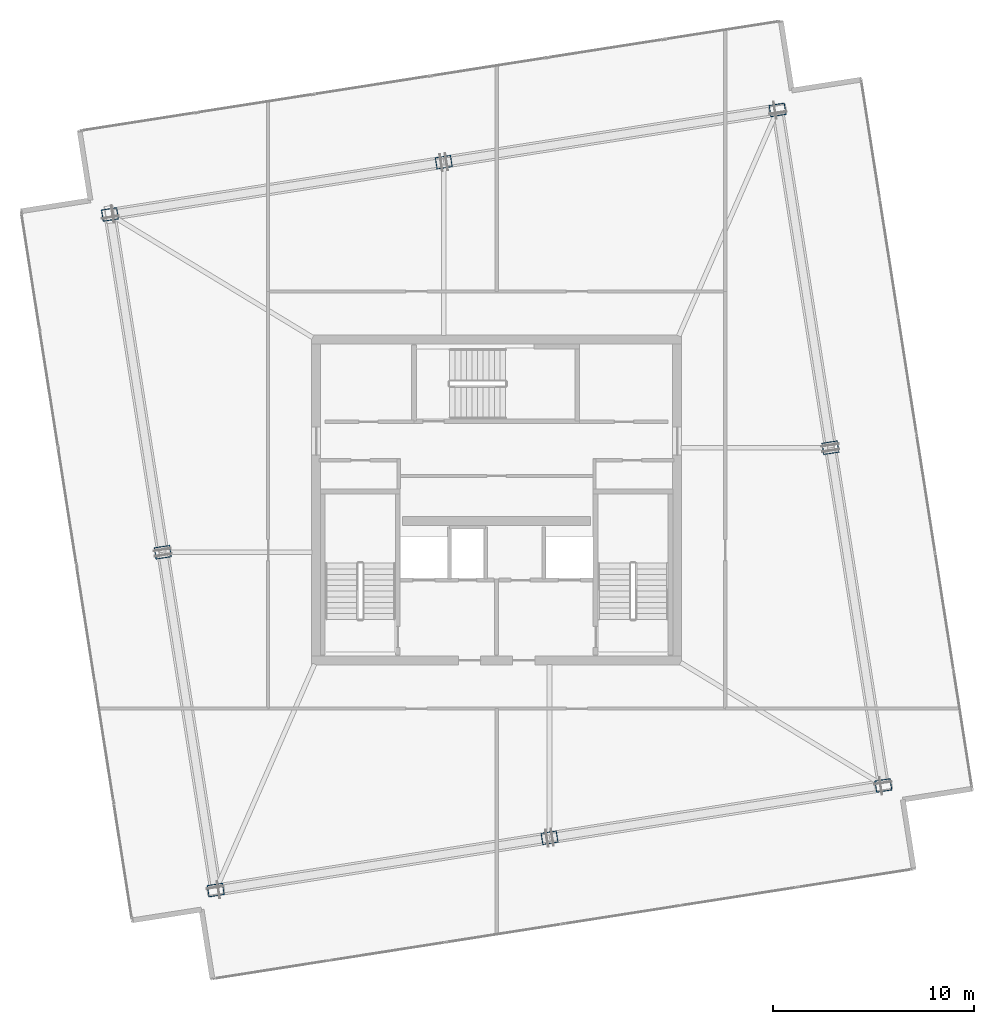
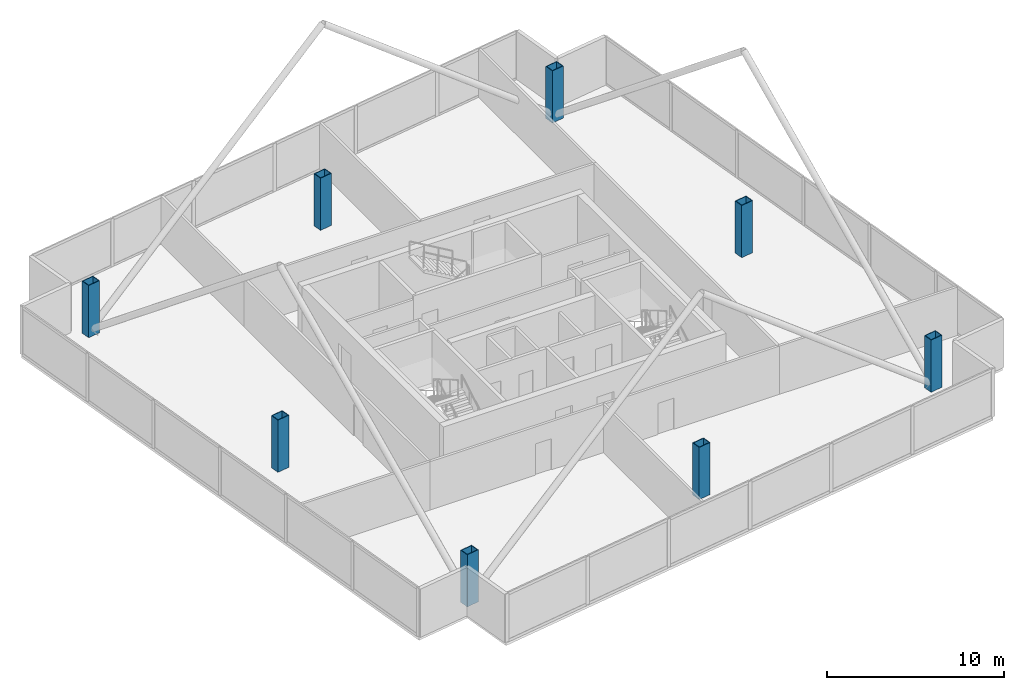
# One storey, part 1 of 21: 8 columns.
"""IFC4 building model written with IfcOpenShell, lengths in metres."""

from ifc_helpers import new_model, si_unit, direction, frame, origin, origin_2d, place, context, subcontext, project, spatial, hollow_rectangle, extrude, material, material_profile, profile_set, type_object, element, save


model = new_model("IFC4")

# Units and contexts
model_context = context("Model", 3, precision=1e-05, world=origin(), true_north=direction((0.0, 1.0)))
body_context = subcontext(model_context, "Body", "Model", "MODEL_VIEW")
ifc_project = project(units=[si_unit("LENGTHUNIT", "METRE"), si_unit("AREAUNIT", "SQUARE_METRE"), si_unit("VOLUMEUNIT", "CUBIC_METRE"), si_unit("PLANEANGLEUNIT", "RADIAN"), si_unit("MASSUNIT", "GRAM", prefix="KILO")], contexts=[model_context])

# Site, building, storey
site_placement = place(None, origin())
site = spatial("IfcSite", under=ifc_project, at=site_placement, CompositionType="ELEMENT")
building_placement = place(site_placement, origin())
building = spatial("IfcBuilding", under=site, at=building_placement, Name="Haldenkirk Collegiate Tower", CompositionType="ELEMENT")
storey_placement = place(building_placement, frame((0.0, 0.0, 360.60009765625)))
storey = spatial("IfcBuildingStorey", under=building, at=storey_placement, Name="L91", CompositionType="ELEMENT", Elevation=360.60009765625)

# Columns
ifc_material = material(Name="Steel ASTM A572 Grade 50", Category="steel")
ifc_material_profile = material_profile(ifc_material, hollow_rectangle(XDim=0.60009765625, YDim=0.800048828125, WallThickness=0.0400390625, at=origin_2d()), Name="BOX800X600X40")
ifc_profile_set = profile_set([ifc_material_profile], Name="Steel ASTM A572 Grade 50")
column_type = type_object("IfcColumnType", Name="COL-CROWN-BOX800", PredefinedType="COLUMN", material=ifc_profile_set)
for number, where, z_axis, x_axis, name in (
    (1, (55.284912109375, 11.76220703125, 0.0), (0.0, 0.0, 1.0), (-0.154710386299, 0.987959865769, 0.0), "L91 Crown Ring Frame column CC-1"),
    (2, (52.647216796875, 28.60693359375, 0.0), (0.0, 0.0, 1.0), (-0.154710386299, 0.987959865769, 0.0), "L91 Crown Ring Frame column CC-2"),
    (3, (50.00927734375, 45.45166015625, 0.0), (0.0, 0.0, 1.0), (-0.154710386299, 0.987959865769, 0.0), "L91 Crown Ring Frame column CC-3"),
    (4, (33.3623046875, 42.8447265625, 0.0), (0.0, 0.0, 1.0), (-0.154710386299, 0.987959865769, 0.0), "L91 Crown Ring Frame column CC-4"),
    (5, (16.715087890625, 40.23779296875, 0.0), (0.0, 0.0, 1.0), (-0.154710386299, 0.987959865769, 0.0), "L91 Crown Ring Frame column CC-5"),
    (6, (19.352783203125, 23.39306640625, 0.0), (0.0, 0.0, 1.0), (-0.154710386299, 0.987959865769, 0.0), "L91 Crown Ring Frame column CC-6"),
    (7, (21.99072265625, 6.54833984375, 0.0), (0.0, 0.0, 1.0), (-0.154710386299, 0.987959865769, 0.0), "L91 Crown Ring Frame column CC-7"),
    (8, (38.6376953125, 9.1552734375, 0.0), (0.0, 0.0, 1.0), (-0.154710386299, 0.987959865769, 0.0), "L91 Crown Ring Frame column CC-8"),
):
    element("IfcColumn", number, at=place(storey_placement, frame(where, z_axis=z_axis, x_axis=x_axis)), inside=storey, type_object=column_type, Name=name, PredefinedType="COLUMN", context=body_context, shape_type="SweptSolid", body=[
        extrude(hollow_rectangle(XDim=0.60009765625, YDim=0.800048828125, WallThickness=0.0400390625, at=origin_2d()), origin(), (0.0, 0.0, 1.0), 3.599853515625),
    ])

save(model, "model.ifc")
